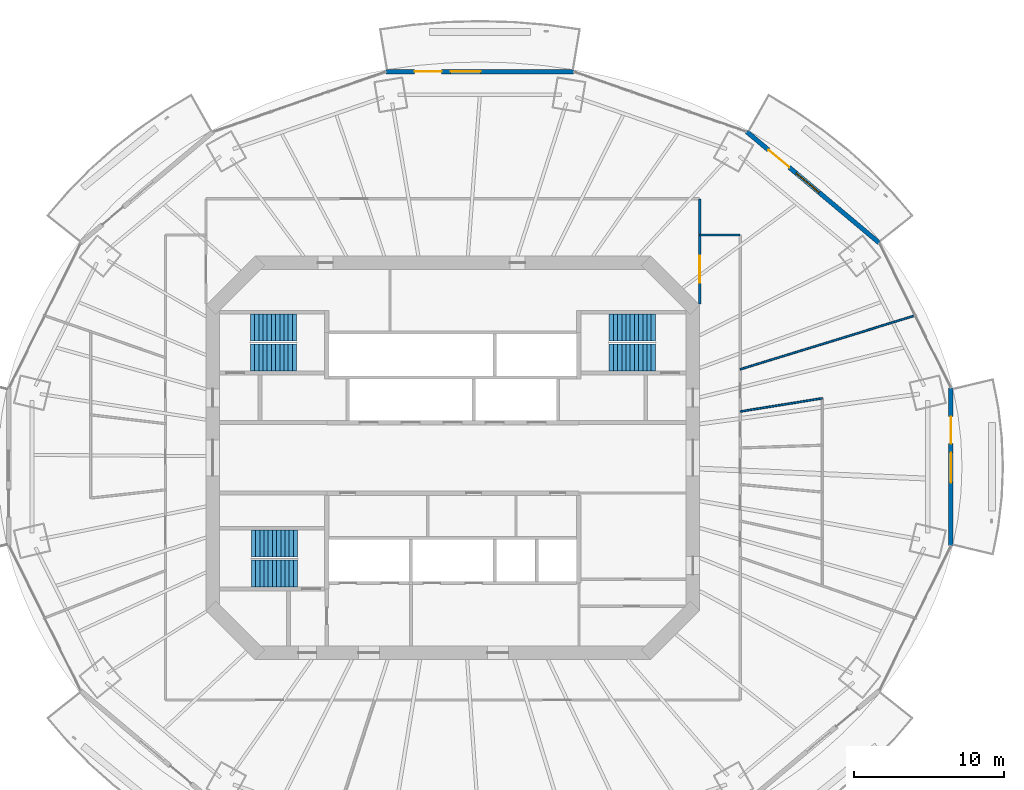
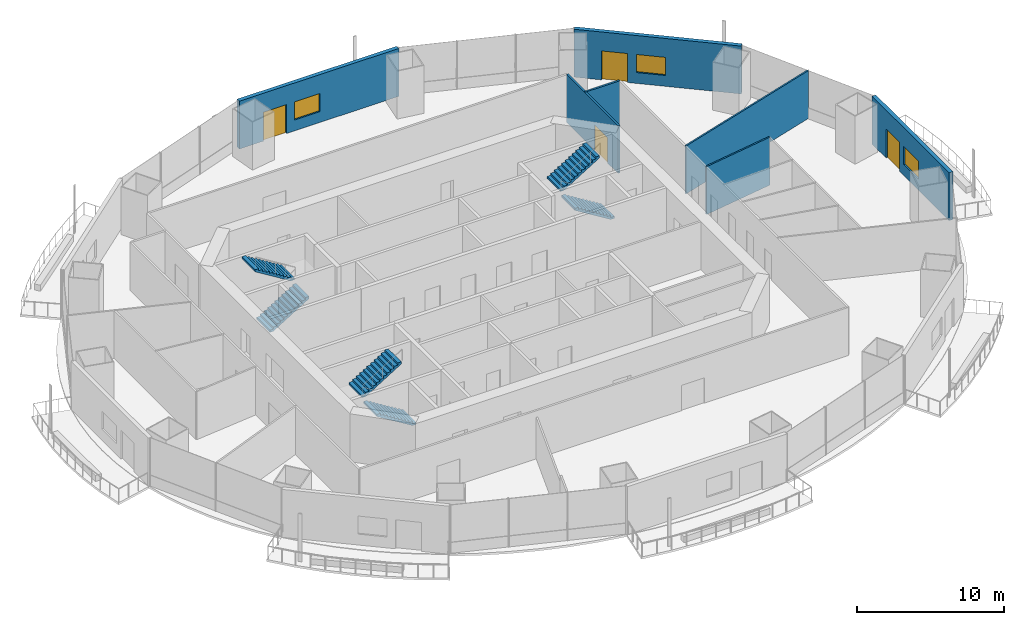
# One storey, part 14 of 20: 7 walls, 6 stair flights, 4 doors, 3 windows, 7 openings, 3 elements without a shape of their own.
"""IFC4 building model written with IfcOpenShell, lengths in metres."""

import ifcopenshell
import ifcopenshell.guid

model = None  # the IFC model being written
_history = None  # IfcOwnerHistory: only IFC2X3 demands one
_inside = {}  # id of a spatial element -> (the spatial element, [elements in it])
_under = {}  # id of a project, library or spatial element -> (it, [spatial elements below it])
_declared = {}  # id of a project -> (the project, [libraries it declares])
_typed = {}  # id of a type object -> (the type object, [elements of that type])
_made_of = {}  # id of a material, layer set ... -> (it, [elements and type objects made of it])


def new_model(schema):
    """Start an empty IFC model of exactly this schema.

    Asked for "IFC4X3", IfcOpenShell would pick the latest addendum, in which some entities
    have other attributes; the version numbers below select the first issue.
    IFC2X3 requires an IfcOwnerHistory on every rooted entity: one is made here for all.
    """
    global model, _history
    if schema == "IFC4X3":
        model = ifcopenshell.file(schema_version=(4, 3, 0, 0))
    else:
        model = ifcopenshell.file(schema=schema)
    _inside.clear()
    _under.clear()
    _declared.clear()
    _typed.clear()
    _made_of.clear()
    _history = None
    if model.schema == "IFC2X3":
        org = make("IfcOrganization", Name="unknown")
        user = make(
            "IfcPersonAndOrganization",
            ThePerson=make("IfcPerson", FamilyName="unknown"),
            TheOrganization=org,
        )
        app = make(
            "IfcApplication",
            ApplicationDeveloper=org,
            Version="unknown",
            ApplicationFullName="unknown",
            ApplicationIdentifier="unknown",
        )
        _history = make(
            "IfcOwnerHistory",
            OwningUser=user,
            OwningApplication=app,
            ChangeAction="ADDED",
            CreationDate=0,
        )
    return model


def make(cls, **values):
    """One entity of the class cls with the attributes given. An attribute that is None is left unset."""
    return model.create_entity(
        cls, **{name: value for name, value in values.items() if value is not None}
    )


def rooted(cls, **values):
    """An entity with a GlobalId (a new one), such as an element, a storey or a relation."""
    return make(cls, GlobalId=ifcopenshell.guid.new(), OwnerHistory=_history, **values)


def si_unit(unit_type, name, prefix=None):
    """IfcSIUnit, for example si_unit("LENGTHUNIT", "METRE", prefix="MILLI")."""
    return make("IfcSIUnit", UnitType=unit_type, Prefix=prefix, Name=name)


def assignment(units):
    """IfcUnitAssignment: the units of a project."""
    return None if units is None else make("IfcUnitAssignment", Units=units)


def point(xyz):
    """IfcCartesianPoint."""
    return None if xyz is None else make("IfcCartesianPoint", Coordinates=xyz)


def direction(xyz):
    """IfcDirection."""
    return None if xyz is None else make("IfcDirection", DirectionRatios=xyz)


def frame(location, z_axis=None, x_axis=None):
    """IfcAxis2Placement3D, a coordinate frame: its origin and axes. An axis left out is left unset."""
    return make(
        "IfcAxis2Placement3D",
        Location=point(location),
        Axis=direction(z_axis),
        RefDirection=direction(x_axis),
    )


def frame_2d(location, x_axis=None):
    """IfcAxis2Placement2D, a coordinate frame in the plane: its origin and x axis."""
    return make(
        "IfcAxis2Placement2D", Location=point(location), RefDirection=direction(x_axis)
    )


def origin():
    """The frame at (0, 0, 0) with its axes left unset."""
    return frame((0.0, 0.0, 0.0))


def place(relative_to, where):
    """IfcLocalPlacement: puts the frame where relative to a parent placement (None: the world)."""
    return make(
        "IfcLocalPlacement", PlacementRelTo=relative_to, RelativePlacement=where
    )


def context(
    kind, dimensions, precision=None, world=None, true_north=None, identifier=None
):
    """IfcGeometricRepresentationContext, for example the 3D "Model" context."""
    return make(
        "IfcGeometricRepresentationContext",
        ContextIdentifier=identifier,
        ContextType=kind,
        CoordinateSpaceDimension=dimensions,
        Precision=precision,
        WorldCoordinateSystem=world,
        TrueNorth=true_north,
    )


def subcontext(parent, identifier, kind, view, scale=None):
    """IfcGeometricRepresentationSubContext, for example "Body" below "Model"."""
    return make(
        "IfcGeometricRepresentationSubContext",
        ContextIdentifier=identifier,
        ContextType=kind,
        ParentContext=parent,
        TargetScale=scale,
        TargetView=view,
    )


def project(units=None, contexts=None):
    """IfcProject with its units and contexts."""
    return rooted(
        "IfcProject",
        Name="project",
        RepresentationContexts=contexts,
        UnitsInContext=assignment(units),
    )


def spatial(cls, under=None, at=None, **own):
    """A site, building, storey or space (cls), placed at a placement, below another one or the project."""
    s = rooted(cls, ObjectPlacement=at, **own)
    if under is not None:
        _under.setdefault(under.id(), (under, []))[1].append(s)
    return s


def polyline(points):
    """IfcPolyline through the points."""
    return make("IfcPolyline", Points=[point(p) for p in points])


def profile(cls, at=None, kind="AREA", **sizes):
    """A parametric profile (cls). Its sizes go by their IFC names, for example OverallWidth=200.0."""
    return make(cls, ProfileType=kind, Position=at, **sizes)


def rectangle(**sizes):
    """IfcRectangleProfileDef."""
    return profile("IfcRectangleProfileDef", **sizes)


def outline(outer, holes=None, kind="AREA"):
    """IfcArbitraryClosedProfileDef: a profile drawn as a closed curve; with holes, ...WithVoids."""
    if holes is None:
        return make("IfcArbitraryClosedProfileDef", ProfileType=kind, OuterCurve=outer)
    return make(
        "IfcArbitraryProfileDefWithVoids",
        ProfileType=kind,
        OuterCurve=outer,
        InnerCurves=holes,
    )


def extrude(swept, where, along, depth):
    """IfcExtrudedAreaSolid: the profile swept, set in the frame where, extruded along a direction by depth."""
    return make(
        "IfcExtrudedAreaSolid",
        SweptArea=swept,
        Position=where,
        ExtrudedDirection=direction(along),
        Depth=depth,
    )


def shape(context_of_items, identifier, shape_type, items):
    """IfcShapeRepresentation: the items that make up one representation, for example the "Body"."""
    return make(
        "IfcShapeRepresentation",
        ContextOfItems=context_of_items,
        RepresentationIdentifier=identifier,
        RepresentationType=shape_type,
        Items=items,
    )


def material(Name=None, Category=None):
    """IfcMaterial."""
    return make("IfcMaterial", Name=Name, Category=Category)


def layer(
    of_material, thickness, ventilated=None, Name=None, Category=None, Priority=None
):
    """IfcMaterialLayer: one layer of a wall or slab, of a material (None: an air gap)."""
    return make(
        "IfcMaterialLayer",
        Material=of_material,
        LayerThickness=thickness,
        IsVentilated=ventilated,
        Name=Name,
        Category=Category,
        Priority=Priority,
    )


def layer_set(layers, Name=None):
    """IfcMaterialLayerSet."""
    return make("IfcMaterialLayerSet", MaterialLayers=layers, LayerSetName=Name)


def made_of(thing, what):
    """Note that an element or type object is made of a material, layer set ...; save() writes the relation."""
    if what is not None:
        _made_of.setdefault(what.id(), (what, []))[1].append(thing)
    return thing


def type_object(cls, material=None, **own):
    """A type object (cls), such as IfcWallType, which elements share."""
    return made_of(rooted(cls, **own), material)


def element(
    cls,
    number,
    at=None,
    inside=None,
    cuts=None,
    type_object=None,
    material=None,
    context=None,
    identifier="Body",
    shape_type=None,
    held_by="IfcProductDefinitionShape",
    body=None,
    shapes=None,
    **own,
):
    """One element of the class cls, such as IfcWall. Its Tag is "e" and its number.

    at: its placement. inside: the storey or other place that contains it. cuts: it is an
    opening in that element (IfcRelVoidsElement). A single representation is given by context,
    identifier, shape_type and body (its items); several are given by shapes. held_by: the class
    of the entity that holds the representations. save() writes the other relations.
    """
    e = rooted(cls, Tag="e%d" % number, ObjectPlacement=at, **own)
    if body is not None:
        shapes = [shape(context, identifier, shape_type, body)]
    if shapes is not None:
        e.Representation = make(held_by, Representations=shapes)
    if inside is not None:
        _inside.setdefault(inside.id(), (inside, []))[1].append(e)
    if cuts is not None:
        rooted(
            "IfcRelVoidsElement", RelatingBuildingElement=cuts, RelatedOpeningElement=e
        )
    if type_object is not None:
        _typed.setdefault(type_object.id(), (type_object, []))[1].append(e)
    return made_of(e, material)


def fill(opening, filler):
    """IfcRelFillsElement: the door or window that sits in an opening."""
    return rooted(
        "IfcRelFillsElement",
        RelatingOpeningElement=opening,
        RelatedBuildingElement=filler,
    )


def aggregate(whole, parts):
    """IfcRelAggregates: a whole, such as a stair, and the parts it consists of."""
    return rooted("IfcRelAggregates", RelatingObject=whole, RelatedObjects=parts)


def save(model, path):
    """Write the relations noted so far, then the file.

    IfcRelAggregates (storeys below a building ...), IfcRelContainedInSpatialStructure (elements
    in a storey), IfcRelDefinesByType, IfcRelAssociatesMaterial and IfcRelDeclares: one each for
    every whole, place, type object, material and project.
    """
    for whole, parts in _under.values():
        aggregate(whole, parts)
    for where, things in _inside.values():
        rooted(
            "IfcRelContainedInSpatialStructure",
            RelatedElements=things,
            RelatingStructure=where,
        )
    for kind, things in _typed.values():
        rooted("IfcRelDefinesByType", RelatedObjects=things, RelatingType=kind)
    for what, things in _made_of.values():
        rooted("IfcRelAssociatesMaterial", RelatedObjects=things, RelatingMaterial=what)
    for by, libraries in _declared.values():
        rooted("IfcRelDeclares", RelatingContext=by, RelatedDefinitions=libraries)
    model.write(path)


model = new_model("IFC4")

# Units and contexts
model_context = context("Model", 3, precision=1e-05, world=origin(), true_north=direction((0.0, 1.0)))
body_context = subcontext(model_context, "Body", "Model", "MODEL_VIEW")
ifc_project = project(units=[si_unit("LENGTHUNIT", "METRE"), si_unit("AREAUNIT", "SQUARE_METRE"), si_unit("VOLUMEUNIT", "CUBIC_METRE"), si_unit("PLANEANGLEUNIT", "RADIAN"), si_unit("MASSUNIT", "GRAM", prefix="KILO")], contexts=[model_context])

# Site, building, storey
site_placement = place(None, origin())
site = spatial("IfcSite", under=ifc_project, at=site_placement, CompositionType="ELEMENT")
building_placement = place(site_placement, origin())
building = spatial("IfcBuilding", under=site, at=building_placement, Name="Marenthal Gate Tower", CompositionType="ELEMENT")
storey_placement = place(building_placement, frame((0.0, 0.0, 194.25)))
storey = spatial("IfcBuildingStorey", under=building, at=storey_placement, Name="L42", CompositionType="ELEMENT", Elevation=194.25)

# Walls
ifc_material_1 = material(Name="Gypsum board on steel studs", Category="steel")
ifc_layer_1 = layer(ifc_material_1, 0.1201171875)
ifc_layer_set_1 = layer_set([ifc_layer_1], Name="Partition 120")
wall_type_1 = type_object("IfcWallType", Name="Partition 120", PredefinedType="PARTITIONING", material=ifc_layer_set_1)
wall_1_placement = place(storey_placement, frame((19.14990234375, 5.8935546875, 0.0), z_axis=(0.0, 0.0, 1.0), x_axis=(0.955768190607, 0.29412100541, 0.0)))
element("IfcWall", 1, at=wall_1_placement, inside=storey, type_object=wall_type_1, Name="Partition wall 64", PredefinedType="PARTITIONING", context=body_context, shape_type="SweptSolid", body=[
    extrude(rectangle(XDim=12.199462890625, YDim=0.1201171875, at=frame_2d((6.099609375, 0.0))), origin(), (0.0, 0.0, 1.0), 3.969970703125),
])
wall_2_placement = place(storey_placement, frame((24.61865234375, 3.96337890625, 0.0), z_axis=(0.0, 0.0, 1.0), x_axis=(-0.987288906474, -0.158935883783, 0.0)))
element("IfcWall", 2, at=wall_2_placement, inside=storey, type_object=wall_type_1, Name="Partition wall 70", PredefinedType="PARTITIONING", context=body_context, shape_type="SweptSolid", body=[
    extrude(rectangle(XDim=5.5390625, YDim=0.1201171875, at=frame_2d((2.76953125, 0.0))), origin(), (0.0, 0.0, 1.0), 3.969970703125),
])

# Wall, opening, door
ifc_material_2 = material(Name="Gypsum board on steel studs", Category="steel")
ifc_layer_2 = layer(ifc_material_2, 0.14990234375)
ifc_layer_set_2 = layer_set([ifc_layer_2], Name="Partition 150")
wall_type_2 = type_object("IfcWallType", Name="Partition 150", PredefinedType="PARTITIONING", material=ifc_layer_set_2)
wall_3_placement = place(storey_placement, frame((16.449951171875, 10.25, 0.0), z_axis=(0.0, 0.0, 1.0), x_axis=(0.0, 1.0, 0.0)))
wall_3 = element("IfcWall", 3, at=wall_3_placement, inside=storey, type_object=wall_type_2, Name="Partition wall 60", PredefinedType="PARTITIONING", context=body_context, shape_type="SweptSolid", body=[
    extrude(rectangle(XDim=7.01611328125, YDim=0.14990234375, at=frame_2d((3.508056640625, 0.0))), origin(), (0.0, 0.0, 1.0), 3.969970703125),
])
opening_1_placement = place(wall_3_placement, frame((1.402099609375, 0.0, 0.0)))
opening_1 = element("IfcOpeningElement", 4, at=opening_1_placement, cuts=wall_3, Name="Opening D014.06", PredefinedType="OPENING", context=body_context, shape_type="SweptSolid", body=[
    extrude(rectangle(XDim=1.800048828125, YDim=2.10009765625, at=frame_2d((0.89990234375, 1.050048828125))), frame((0.0, 0.0849609375, 0.0), z_axis=(0.0, -1.0, 0.0), x_axis=(1.0, 0.0, 0.0)), (0.0, 0.0, 1.0), 0.169921875),
])
ifc_material_3 = material(Name="Timber door", Category="wood")
door_type_1 = type_object("IfcDoorType", Name="Double door 1800 x 2100", OperationType="DOUBLE_DOOR_SINGLE_SWING", PredefinedType="DOOR", material=ifc_material_3)
door_1_placement = place(opening_1_placement, origin())
door_1 = element("IfcDoor", 5, at=door_1_placement, inside=storey, type_object=door_type_1, Name="Door D014.06", OperationType="DOUBLE_DOOR_SINGLE_SWING", OverallHeight=2.10009765625, OverallWidth=1.800048828125, PredefinedType="DOOR", context=body_context, shape_type="SweptSolid", body=[
    extrude(rectangle(XDim=1.800048828125, YDim=2.10009765625, at=frame_2d((0.89990234375, 1.050048828125))), frame((0.0, 0.02490234375, 0.0), z_axis=(0.0, -1.0, 0.0), x_axis=(1.0, 0.0, 0.0)), (0.0, 0.0, 1.0), 0.050048828125),
])
fill(opening_1, door_1)

# Wall
wall_4_placement = place(storey_placement, frame((16.449951171875, 14.853759765625, 0.0), z_axis=(0.0, 0.0, 1.0), x_axis=(1.0, 0.0, 0.0)))
element("IfcWall", 6, at=wall_4_placement, inside=storey, type_object=wall_type_2, Name="Partition wall 61", PredefinedType="PARTITIONING", context=body_context, shape_type="SweptSolid", body=[
    extrude(rectangle(XDim=2.699951171875, YDim=0.14990234375, at=frame_2d((1.35009765625, 0.0))), origin(), (0.0, 0.0, 1.0), 3.969970703125),
])

# Wall, openings, door, window
ifc_material_4 = material(Name="Terracotta cladding on insulated concrete-block backing", Category="masonry")
ifc_layer_3 = layer(ifc_material_4, 0.300048828125)
ifc_layer_set_3 = layer_set([ifc_layer_3], Name="Terracotta facade wall 300")
wall_type_3 = type_object("IfcWallType", Name="Terracotta facade wall 300", PredefinedType="SOLIDWALL", material=ifc_layer_set_3)
wall_5_placement = place(storey_placement, frame((28.41943359375, 14.3232421875, 0.0), z_axis=(0.0, 0.0, 1.0), x_axis=(-0.766073485726, 0.642752996468, 0.0)))
wall_5 = element("IfcWall", 7, at=wall_5_placement, inside=storey, type_object=wall_type_3, Name="Terracotta facade wall L42 bay 2", PredefinedType="SOLIDWALL", context=body_context, shape_type="SweptSolid", body=[
    extrude(rectangle(XDim=11.530029296875, YDim=0.300048828125, at=frame_2d((5.76513671875, 0.0))), origin(), (0.0, 0.0, 1.0), 3.969970703125),
])
opening_2_placement = place(wall_5_placement, frame((7.830078125, 0.0, 0.0)))
opening_2 = element("IfcOpeningElement", 8, at=opening_2_placement, cuts=wall_5, Name="Opening BD-L42-02", PredefinedType="OPENING", context=body_context, shape_type="SweptSolid", body=[
    extrude(rectangle(XDim=1.800048828125, YDim=2.39990234375, at=frame_2d((0.89990234375, 1.199951171875))), frame((0.0, 0.16015625, 0.0), z_axis=(0.0, -1.0, 0.0), x_axis=(1.0, 0.0, 0.0)), (0.0, 0.0, 1.0), 0.320068359375),
])
opening_3_placement = place(wall_5_placement, frame((5.22998046875, 0.0, 0.89990234375)))
opening_3 = element("IfcOpeningElement", 9, at=opening_3_placement, cuts=wall_5, Name="Opening WN2-L42-02", PredefinedType="OPENING", context=body_context, shape_type="SweptSolid", body=[
    extrude(rectangle(XDim=2.0, YDim=1.5, at=frame_2d((1.0, 0.75))), frame((0.0, 0.16015625, 0.0), z_axis=(0.0, -1.0, 0.0), x_axis=(1.0, 0.0, 0.0)), (0.0, 0.0, 1.0), 0.320068359375),
])
ifc_material_5 = material(Name="Aluminium and glass", Category="aluminium")
door_type_2 = type_object("IfcDoorType", Name="Balcony door 1800x2400", OperationType="DOUBLE_DOOR_SINGLE_SWING", PredefinedType="DOOR", material=ifc_material_5)
door_2_placement = place(opening_2_placement, origin())
door_2 = element("IfcDoor", 10, at=door_2_placement, inside=storey, type_object=door_type_2, Name="Balcony door L42 bay 2", OperationType="SINGLE_SWING_LEFT", OverallHeight=2.39990234375, OverallWidth=1.800048828125, PredefinedType="DOOR", context=body_context, shape_type="SweptSolid", body=[
    extrude(rectangle(XDim=1.800048828125, YDim=2.39990234375, at=frame_2d((0.89990234375, 1.199951171875))), frame((0.0, 0.02490234375, 0.0), z_axis=(0.0, -1.0, 0.0), x_axis=(1.0, 0.0, 0.0)), (0.0, 0.0, 1.0), 0.050048828125),
])
fill(opening_2, door_2)
ifc_material_6 = material(Name="Aluminium and glass", Category="aluminium")
window_type = type_object("IfcWindowType", Name="Window 2000x1500", PartitioningType="DOUBLE_PANEL_VERTICAL", PredefinedType="WINDOW", material=ifc_material_6)
window_1_placement = place(opening_3_placement, origin())
window_1 = element("IfcWindow", 11, at=window_1_placement, inside=storey, type_object=window_type, Name="Window L42 bay 2", OverallHeight=1.5, OverallWidth=2.0, PartitioningType="SINGLE_PANEL", PredefinedType="WINDOW", context=body_context, shape_type="SweptSolid", body=[
    extrude(rectangle(XDim=2.0, YDim=1.5, at=frame_2d((1.0, 0.75))), frame((0.0, 0.030029296875, 0.0), z_axis=(0.0, -1.0, 0.0), x_axis=(1.0, 0.0, 0.0)), (0.0, 0.0, 1.0), 0.06005859375),
])
fill(opening_3, window_1)

wall_6_placement = place(storey_placement, frame((8.0458984375, 25.744873046875, 0.0), z_axis=(0.0, 0.0, 1.0), x_axis=(-1.0, 0.0, 0.0)))
wall_6 = element("IfcWall", 12, at=wall_6_placement, inside=storey, type_object=wall_type_3, Name="Terracotta facade wall L42 bay 4", PredefinedType="SOLIDWALL", context=body_context, shape_type="SweptSolid", body=[
    extrude(rectangle(XDim=12.49169921875, YDim=0.300048828125, at=frame_2d((6.245849609375, 0.0))), origin(), (0.0, 0.0, 1.0), 3.969970703125),
])
opening_4_placement = place(wall_6_placement, frame((8.79150390625, 0.0, 0.0)))
opening_4 = element("IfcOpeningElement", 13, at=opening_4_placement, cuts=wall_6, Name="Opening BD-L42-04", PredefinedType="OPENING", context=body_context, shape_type="SweptSolid", body=[
    extrude(rectangle(XDim=1.800048828125, YDim=2.39990234375, at=frame_2d((0.89990234375, 1.199951171875))), frame((0.0, 0.16015625, 0.0), z_axis=(0.0, -1.0, 0.0), x_axis=(1.0, 0.0, 0.0)), (0.0, 0.0, 1.0), 0.320068359375),
])
opening_5_placement = place(wall_6_placement, frame((6.191650390625, 0.0, 0.89990234375)))
opening_5 = element("IfcOpeningElement", 14, at=opening_5_placement, cuts=wall_6, Name="Opening WN2-L42-04", PredefinedType="OPENING", context=body_context, shape_type="SweptSolid", body=[
    extrude(rectangle(XDim=2.0, YDim=1.5, at=frame_2d((1.0, 0.75))), frame((0.0, 0.16015625, 0.0), z_axis=(0.0, -1.0, 0.0), x_axis=(1.0, 0.0, 0.0)), (0.0, 0.0, 1.0), 0.320068359375),
])
door_3_placement = place(opening_4_placement, origin())
door_3 = element("IfcDoor", 15, at=door_3_placement, inside=storey, type_object=door_type_2, Name="Balcony door L42 bay 4", OperationType="SINGLE_SWING_LEFT", OverallHeight=2.39990234375, OverallWidth=1.800048828125, PredefinedType="DOOR", context=body_context, shape_type="SweptSolid", body=[
    extrude(rectangle(XDim=1.800048828125, YDim=2.39990234375, at=frame_2d((0.89990234375, 1.199951171875))), frame((0.0, 0.02490234375, 0.0), z_axis=(0.0, -1.0, 0.0), x_axis=(1.0, 0.0, 0.0)), (0.0, 0.0, 1.0), 0.050048828125),
])
fill(opening_4, door_3)
window_2_placement = place(opening_5_placement, origin())
window_2 = element("IfcWindow", 16, at=window_2_placement, inside=storey, type_object=window_type, Name="Window L42 bay 4", OverallHeight=1.5, OverallWidth=2.0, PartitioningType="SINGLE_PANEL", PredefinedType="WINDOW", context=body_context, shape_type="SweptSolid", body=[
    extrude(rectangle(XDim=2.0, YDim=1.5, at=frame_2d((1.0, 0.75))), frame((0.0, 0.030029296875, 0.0), z_axis=(0.0, -1.0, 0.0), x_axis=(1.0, 0.0, 0.0)), (0.0, 0.0, 1.0), 0.06005859375),
])
fill(opening_5, window_2)

wall_7_placement = place(storey_placement, frame((33.19970703125, -5.84033203125, 0.0), z_axis=(0.0, 0.0, 1.0), x_axis=(0.0, 1.0, 0.0)))
wall_7 = element("IfcWall", 17, at=wall_7_placement, inside=storey, type_object=wall_type_3, Name="Terracotta facade wall L42 bay 16", PredefinedType="SOLIDWALL", context=body_context, shape_type="SweptSolid", body=[
    extrude(rectangle(XDim=10.480712890625, YDim=0.300048828125, at=frame_2d((5.240234375, 0.0))), origin(), (0.0, 0.0, 1.0), 3.969970703125),
])
opening_6_placement = place(wall_7_placement, frame((6.780517578125, 0.0, 0.0)))
opening_6 = element("IfcOpeningElement", 18, at=opening_6_placement, cuts=wall_7, Name="Opening BD-L42-16", PredefinedType="OPENING", context=body_context, shape_type="SweptSolid", body=[
    extrude(rectangle(XDim=1.800048828125, YDim=2.39990234375, at=frame_2d((0.89990234375, 1.199951171875))), frame((0.0, 0.16015625, 0.0), z_axis=(0.0, -1.0, 0.0), x_axis=(1.0, 0.0, 0.0)), (0.0, 0.0, 1.0), 0.320068359375),
])
opening_7_placement = place(wall_7_placement, frame((4.1806640625, 0.0, 0.89990234375)))
opening_7 = element("IfcOpeningElement", 19, at=opening_7_placement, cuts=wall_7, Name="Opening WN2-L42-16", PredefinedType="OPENING", context=body_context, shape_type="SweptSolid", body=[
    extrude(rectangle(XDim=2.0, YDim=1.5, at=frame_2d((1.0, 0.75))), frame((0.0, 0.16015625, 0.0), z_axis=(0.0, -1.0, 0.0), x_axis=(1.0, 0.0, 0.0)), (0.0, 0.0, 1.0), 0.320068359375),
])
door_4_placement = place(opening_6_placement, origin())
door_4 = element("IfcDoor", 20, at=door_4_placement, inside=storey, type_object=door_type_2, Name="Balcony door L42 bay 16", OperationType="SINGLE_SWING_LEFT", OverallHeight=2.39990234375, OverallWidth=1.800048828125, PredefinedType="DOOR", context=body_context, shape_type="SweptSolid", body=[
    extrude(rectangle(XDim=1.800048828125, YDim=2.39990234375, at=frame_2d((0.89990234375, 1.199951171875))), frame((0.0, 0.02490234375, 0.0), z_axis=(0.0, -1.0, 0.0), x_axis=(1.0, 0.0, 0.0)), (0.0, 0.0, 1.0), 0.050048828125),
])
fill(opening_6, door_4)
window_3_placement = place(opening_7_placement, origin())
window_3 = element("IfcWindow", 21, at=window_3_placement, inside=storey, type_object=window_type, Name="Window L42 bay 16", OverallHeight=1.5, OverallWidth=2.0, PartitioningType="SINGLE_PANEL", PredefinedType="WINDOW", context=body_context, shape_type="SweptSolid", body=[
    extrude(rectangle(XDim=2.0, YDim=1.5, at=frame_2d((1.0, 0.75))), frame((0.0, 0.030029296875, 0.0), z_axis=(0.0, -1.0, 0.0), x_axis=(1.0, 0.0, 0.0)), (0.0, 0.0, 1.0), 0.06005859375),
])
fill(opening_7, window_3)

# Stair, stair flights
ifc_material_7 = material(Name="Concrete 40 MPa", Category="concrete")
stair_type = type_object("IfcStairType", Name="Exit stair 1800", PredefinedType="HALF_TURN_STAIR", material=ifc_material_7)
stair_1_placement = place(storey_placement, origin())
stair_1 = element("IfcStair", 22, at=stair_1_placement, inside=storey, type_object=stair_type, Name="Stair ST1", PredefinedType="HALF_TURN_STAIR")
ifc_material_8 = material(Name="Concrete 40 MPa", Category="concrete")
stair_flight_type = type_object("IfcStairFlightType", Name="Stair flight 1800", PredefinedType="STRAIGHT", material=ifc_material_8)
stair_flight_1_placement = place(storey_placement, frame((-13.5, 6.675048828125, 0.0), z_axis=(0.0, 0.0, 1.0), x_axis=(1.0, 0.0, 0.0)))
stair_flight_1 = element("IfcStairFlight", 23, at=stair_flight_1_placement, type_object=stair_flight_type, Name="ST1 flight 1", NumberOfRisers=12, NumberOfTreads=11, PredefinedType="STRAIGHT", RiserHeight=0.172916667, TreadLength=0.28, context=body_context, shape_type="SweptSolid", body=[
    extrude(outline(polyline([(0.0, 0.0), (0.0, 0.1728515625), (0.280029296875, 0.1728515625), (0.280029296875, 0.345947265625), (0.56005859375, 0.345947265625), (0.56005859375, 0.518798828125), (0.840087890625, 0.518798828125), (0.840087890625, 0.691650390625), (1.1201171875, 0.691650390625), (1.1201171875, 0.864501953125), (1.39990234375, 0.864501953125), (1.39990234375, 1.03759765625), (1.679931640625, 1.03759765625), (1.679931640625, 1.21044921875), (1.9599609375, 1.21044921875), (1.9599609375, 1.38330078125), (2.239990234375, 1.38330078125), (2.239990234375, 1.55615234375), (2.52001953125, 1.55615234375), (2.52001953125, 1.729248046875), (2.800048828125, 1.729248046875), (2.800048828125, 1.902099609375), (3.080078125, 1.902099609375), (3.080078125, 2.074951171875), (3.080078125, 1.725830078125), (0.285400390625, 0.0), (0.0, 0.0)])), frame((0.0, 0.89990234375, 0.0), z_axis=(0.0, -1.0, 0.0), x_axis=(1.0, 0.0, 0.0)), (0.0, 0.0, 1.0), 1.800048828125),
])
stair_flight_2_placement = place(storey_placement, frame((-10.419921875, 8.675048828125, 2.074951171875), z_axis=(0.0, 0.0, 1.0), x_axis=(-1.0, 0.0, 0.0)))
stair_flight_2 = element("IfcStairFlight", 24, at=stair_flight_2_placement, type_object=stair_flight_type, Name="ST1 flight 2", NumberOfRisers=12, NumberOfTreads=11, PredefinedType="STRAIGHT", RiserHeight=0.172916667, TreadLength=0.28, context=body_context, shape_type="SweptSolid", body=[
    extrude(outline(polyline([(0.0, 0.0), (0.0, 0.1728515625), (0.280029296875, 0.1728515625), (0.280029296875, 0.345947265625), (0.56005859375, 0.345947265625), (0.56005859375, 0.518798828125), (0.840087890625, 0.518798828125), (0.840087890625, 0.691650390625), (1.1201171875, 0.691650390625), (1.1201171875, 0.864501953125), (1.39990234375, 0.864501953125), (1.39990234375, 1.03759765625), (1.679931640625, 1.03759765625), (1.679931640625, 1.21044921875), (1.9599609375, 1.21044921875), (1.9599609375, 1.38330078125), (2.239990234375, 1.38330078125), (2.239990234375, 1.55615234375), (2.52001953125, 1.55615234375), (2.52001953125, 1.729248046875), (2.800048828125, 1.729248046875), (2.800048828125, 1.902099609375), (3.080078125, 1.902099609375), (3.080078125, 2.074951171875), (3.080078125, 1.725830078125), (0.285400390625, 0.0), (0.0, 0.0)])), frame((0.0, 0.89990234375, 0.0), z_axis=(0.0, -1.0, 0.0), x_axis=(1.0, 0.0, 0.0)), (0.0, 0.0, 1.0), 1.800048828125),
])
aggregate(stair_1, [stair_flight_1, stair_flight_2])

stair_2_placement = place(storey_placement, origin())
stair_2 = element("IfcStair", 25, at=stair_2_placement, inside=storey, type_object=stair_type, Name="Stair ST2", PredefinedType="HALF_TURN_STAIR")
stair_flight_3_placement = place(storey_placement, frame((-10.35009765625, -7.72509765625, 0.0), z_axis=(0.0, 0.0, 1.0), x_axis=(-1.0, 0.0, 0.0)))
stair_flight_3 = element("IfcStairFlight", 26, at=stair_flight_3_placement, type_object=stair_flight_type, Name="ST2 flight 1", NumberOfRisers=12, NumberOfTreads=11, PredefinedType="STRAIGHT", RiserHeight=0.172916667, TreadLength=0.28, context=body_context, shape_type="SweptSolid", body=[
    extrude(outline(polyline([(0.0, 0.0), (0.0, 0.1728515625), (0.280029296875, 0.1728515625), (0.280029296875, 0.345947265625), (0.56005859375, 0.345947265625), (0.56005859375, 0.518798828125), (0.840087890625, 0.518798828125), (0.840087890625, 0.691650390625), (1.1201171875, 0.691650390625), (1.1201171875, 0.864501953125), (1.39990234375, 0.864501953125), (1.39990234375, 1.03759765625), (1.679931640625, 1.03759765625), (1.679931640625, 1.21044921875), (1.9599609375, 1.21044921875), (1.9599609375, 1.38330078125), (2.239990234375, 1.38330078125), (2.239990234375, 1.55615234375), (2.52001953125, 1.55615234375), (2.52001953125, 1.729248046875), (2.800048828125, 1.729248046875), (2.800048828125, 1.902099609375), (3.080078125, 1.902099609375), (3.080078125, 2.074951171875), (3.080078125, 1.725830078125), (0.285400390625, 0.0), (0.0, 0.0)])), frame((0.0, 0.89990234375, 0.0), z_axis=(0.0, -1.0, 0.0), x_axis=(1.0, 0.0, 0.0)), (0.0, 0.0, 1.0), 1.800048828125),
])
stair_flight_4_placement = place(storey_placement, frame((-13.429931640625, -5.72509765625, 2.074951171875), z_axis=(0.0, 0.0, 1.0), x_axis=(1.0, 0.0, 0.0)))
stair_flight_4 = element("IfcStairFlight", 27, at=stair_flight_4_placement, type_object=stair_flight_type, Name="ST2 flight 2", NumberOfRisers=12, NumberOfTreads=11, PredefinedType="STRAIGHT", RiserHeight=0.172916667, TreadLength=0.28, context=body_context, shape_type="SweptSolid", body=[
    extrude(outline(polyline([(0.0, 0.0), (0.0, 0.1728515625), (0.280029296875, 0.1728515625), (0.280029296875, 0.345947265625), (0.56005859375, 0.345947265625), (0.56005859375, 0.518798828125), (0.840087890625, 0.518798828125), (0.840087890625, 0.691650390625), (1.1201171875, 0.691650390625), (1.1201171875, 0.864501953125), (1.39990234375, 0.864501953125), (1.39990234375, 1.03759765625), (1.679931640625, 1.03759765625), (1.679931640625, 1.21044921875), (1.9599609375, 1.21044921875), (1.9599609375, 1.38330078125), (2.239990234375, 1.38330078125), (2.239990234375, 1.55615234375), (2.52001953125, 1.55615234375), (2.52001953125, 1.729248046875), (2.800048828125, 1.729248046875), (2.800048828125, 1.902099609375), (3.080078125, 1.902099609375), (3.080078125, 2.074951171875), (3.080078125, 1.725830078125), (0.285400390625, 0.0), (0.0, 0.0)])), frame((0.0, 0.89990234375, 0.0), z_axis=(0.0, -1.0, 0.0), x_axis=(1.0, 0.0, 0.0)), (0.0, 0.0, 1.0), 1.800048828125),
])
aggregate(stair_2, [stair_flight_3, stair_flight_4])

stair_3_placement = place(storey_placement, origin())
stair_3 = element("IfcStair", 28, at=stair_3_placement, inside=storey, type_object=stair_type, Name="Stair ST3", PredefinedType="HALF_TURN_STAIR")
stair_flight_5_placement = place(storey_placement, frame((13.5, 6.675048828125, 0.0), z_axis=(0.0, 0.0, 1.0), x_axis=(-1.0, 0.0, 0.0)))
stair_flight_5 = element("IfcStairFlight", 29, at=stair_flight_5_placement, type_object=stair_flight_type, Name="ST3 flight 1", NumberOfRisers=12, NumberOfTreads=11, PredefinedType="STRAIGHT", RiserHeight=0.172916667, TreadLength=0.28, context=body_context, shape_type="SweptSolid", body=[
    extrude(outline(polyline([(0.0, 0.0), (0.0, 0.1728515625), (0.280029296875, 0.1728515625), (0.280029296875, 0.345947265625), (0.56005859375, 0.345947265625), (0.56005859375, 0.518798828125), (0.840087890625, 0.518798828125), (0.840087890625, 0.691650390625), (1.1201171875, 0.691650390625), (1.1201171875, 0.864501953125), (1.39990234375, 0.864501953125), (1.39990234375, 1.03759765625), (1.679931640625, 1.03759765625), (1.679931640625, 1.21044921875), (1.9599609375, 1.21044921875), (1.9599609375, 1.38330078125), (2.239990234375, 1.38330078125), (2.239990234375, 1.55615234375), (2.52001953125, 1.55615234375), (2.52001953125, 1.729248046875), (2.800048828125, 1.729248046875), (2.800048828125, 1.902099609375), (3.080078125, 1.902099609375), (3.080078125, 2.074951171875), (3.080078125, 1.725830078125), (0.285400390625, 0.0), (0.0, 0.0)])), frame((0.0, 0.89990234375, 0.0), z_axis=(0.0, -1.0, 0.0), x_axis=(1.0, 0.0, 0.0)), (0.0, 0.0, 1.0), 1.800048828125),
])
stair_flight_6_placement = place(storey_placement, frame((10.419921875, 8.675048828125, 2.074951171875), z_axis=(0.0, 0.0, 1.0), x_axis=(1.0, 0.0, 0.0)))
stair_flight_6 = element("IfcStairFlight", 30, at=stair_flight_6_placement, type_object=stair_flight_type, Name="ST3 flight 2", NumberOfRisers=12, NumberOfTreads=11, PredefinedType="STRAIGHT", RiserHeight=0.172916667, TreadLength=0.28, context=body_context, shape_type="SweptSolid", body=[
    extrude(outline(polyline([(0.0, 0.0), (0.0, 0.1728515625), (0.280029296875, 0.1728515625), (0.280029296875, 0.345947265625), (0.56005859375, 0.345947265625), (0.56005859375, 0.518798828125), (0.840087890625, 0.518798828125), (0.840087890625, 0.691650390625), (1.1201171875, 0.691650390625), (1.1201171875, 0.864501953125), (1.39990234375, 0.864501953125), (1.39990234375, 1.03759765625), (1.679931640625, 1.03759765625), (1.679931640625, 1.21044921875), (1.9599609375, 1.21044921875), (1.9599609375, 1.38330078125), (2.239990234375, 1.38330078125), (2.239990234375, 1.55615234375), (2.52001953125, 1.55615234375), (2.52001953125, 1.729248046875), (2.800048828125, 1.729248046875), (2.800048828125, 1.902099609375), (3.080078125, 1.902099609375), (3.080078125, 2.074951171875), (3.080078125, 1.725830078125), (0.285400390625, 0.0), (0.0, 0.0)])), frame((0.0, 0.89990234375, 0.0), z_axis=(0.0, -1.0, 0.0), x_axis=(1.0, 0.0, 0.0)), (0.0, 0.0, 1.0), 1.800048828125),
])
aggregate(stair_3, [stair_flight_5, stair_flight_6])

save(model, "model.ifc")
